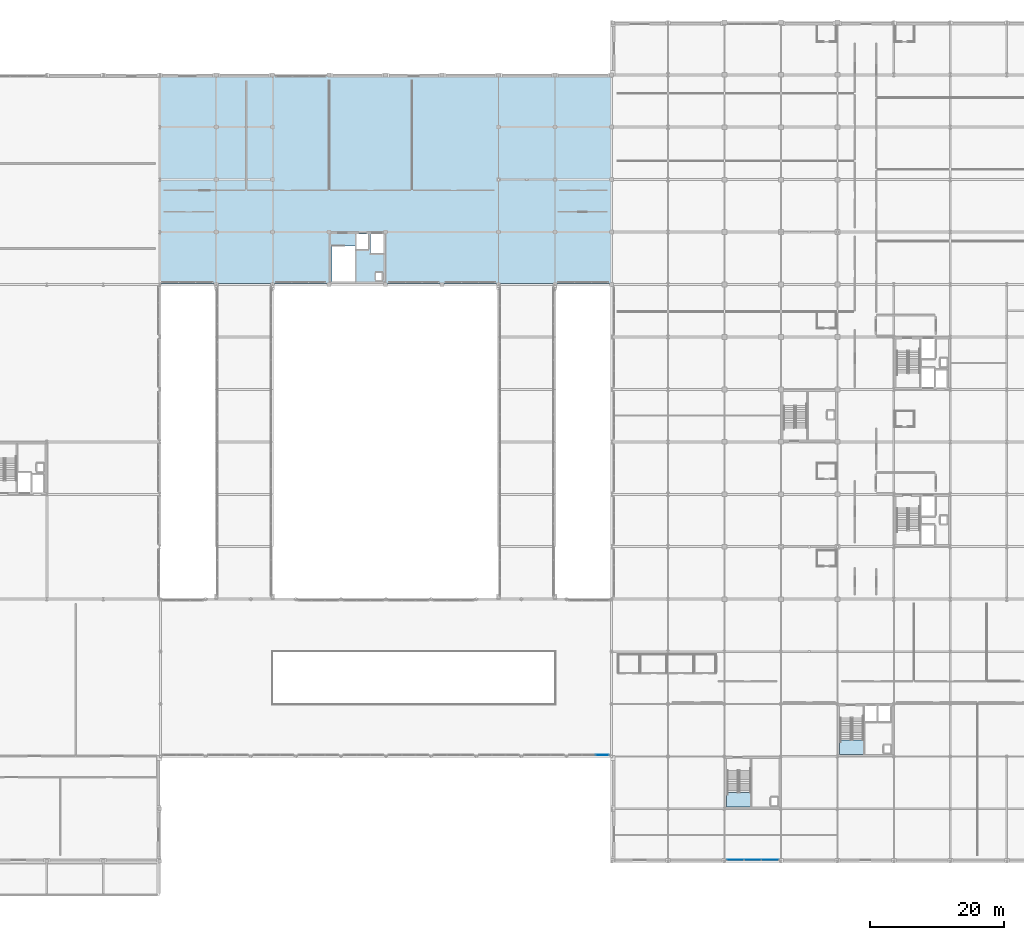
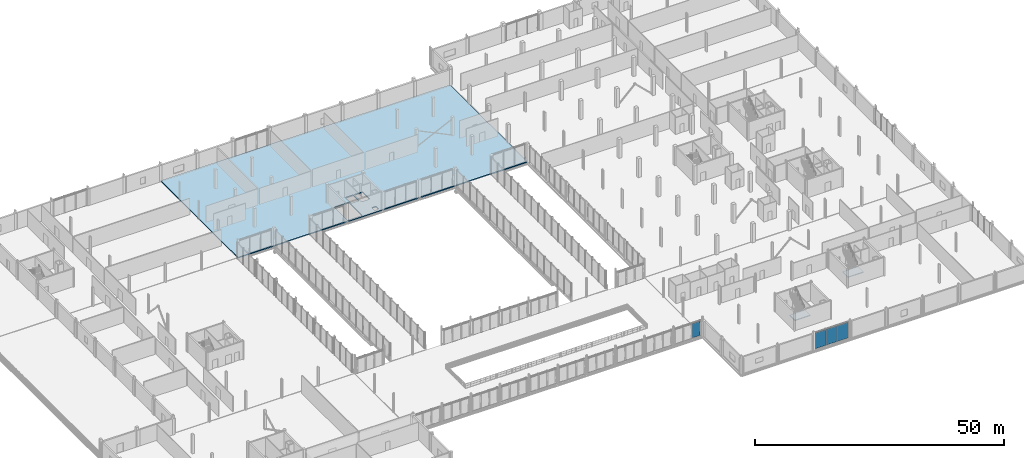
# One storey, part 64 of 98: 4 plates, 3 slabs, 4 elements without a shape of their own.
"""IFC4 building model written with IfcOpenShell, lengths in metres."""

import ifcopenshell
import ifcopenshell.guid

model = None  # the IFC model being written
_history = None  # IfcOwnerHistory: only IFC2X3 demands one
_inside = {}  # id of a spatial element -> (the spatial element, [elements in it])
_under = {}  # id of a project, library or spatial element -> (it, [spatial elements below it])
_declared = {}  # id of a project -> (the project, [libraries it declares])
_typed = {}  # id of a type object -> (the type object, [elements of that type])
_made_of = {}  # id of a material, layer set ... -> (it, [elements and type objects made of it])


def new_model(schema):
    """Start an empty IFC model of exactly this schema.

    Asked for "IFC4X3", IfcOpenShell would pick the latest addendum, in which some entities
    have other attributes; the version numbers below select the first issue.
    IFC2X3 requires an IfcOwnerHistory on every rooted entity: one is made here for all.
    """
    global model, _history
    if schema == "IFC4X3":
        model = ifcopenshell.file(schema_version=(4, 3, 0, 0))
    else:
        model = ifcopenshell.file(schema=schema)
    _inside.clear()
    _under.clear()
    _declared.clear()
    _typed.clear()
    _made_of.clear()
    _history = None
    if model.schema == "IFC2X3":
        org = make("IfcOrganization", Name="unknown")
        user = make(
            "IfcPersonAndOrganization",
            ThePerson=make("IfcPerson", FamilyName="unknown"),
            TheOrganization=org,
        )
        app = make(
            "IfcApplication",
            ApplicationDeveloper=org,
            Version="unknown",
            ApplicationFullName="unknown",
            ApplicationIdentifier="unknown",
        )
        _history = make(
            "IfcOwnerHistory",
            OwningUser=user,
            OwningApplication=app,
            ChangeAction="ADDED",
            CreationDate=0,
        )
    return model


def make(cls, **values):
    """One entity of the class cls with the attributes given. An attribute that is None is left unset."""
    return model.create_entity(
        cls, **{name: value for name, value in values.items() if value is not None}
    )


def rooted(cls, **values):
    """An entity with a GlobalId (a new one), such as an element, a storey or a relation."""
    return make(cls, GlobalId=ifcopenshell.guid.new(), OwnerHistory=_history, **values)


def si_unit(unit_type, name, prefix=None):
    """IfcSIUnit, for example si_unit("LENGTHUNIT", "METRE", prefix="MILLI")."""
    return make("IfcSIUnit", UnitType=unit_type, Prefix=prefix, Name=name)


def assignment(units):
    """IfcUnitAssignment: the units of a project."""
    return None if units is None else make("IfcUnitAssignment", Units=units)


def point(xyz):
    """IfcCartesianPoint."""
    return None if xyz is None else make("IfcCartesianPoint", Coordinates=xyz)


def direction(xyz):
    """IfcDirection."""
    return None if xyz is None else make("IfcDirection", DirectionRatios=xyz)


def frame(location, z_axis=None, x_axis=None):
    """IfcAxis2Placement3D, a coordinate frame: its origin and axes. An axis left out is left unset."""
    return make(
        "IfcAxis2Placement3D",
        Location=point(location),
        Axis=direction(z_axis),
        RefDirection=direction(x_axis),
    )


def frame_2d(location, x_axis=None):
    """IfcAxis2Placement2D, a coordinate frame in the plane: its origin and x axis."""
    return make(
        "IfcAxis2Placement2D", Location=point(location), RefDirection=direction(x_axis)
    )


def origin():
    """The frame at (0, 0, 0) with its axes left unset."""
    return frame((0.0, 0.0, 0.0))


def origin_2d():
    """The frame at (0, 0) in the plane with its x axis left unset."""
    return frame_2d((0.0, 0.0))


def place(relative_to, where):
    """IfcLocalPlacement: puts the frame where relative to a parent placement (None: the world)."""
    return make(
        "IfcLocalPlacement", PlacementRelTo=relative_to, RelativePlacement=where
    )


def context(
    kind, dimensions, precision=None, world=None, true_north=None, identifier=None
):
    """IfcGeometricRepresentationContext, for example the 3D "Model" context."""
    return make(
        "IfcGeometricRepresentationContext",
        ContextIdentifier=identifier,
        ContextType=kind,
        CoordinateSpaceDimension=dimensions,
        Precision=precision,
        WorldCoordinateSystem=world,
        TrueNorth=true_north,
    )


def subcontext(parent, identifier, kind, view, scale=None):
    """IfcGeometricRepresentationSubContext, for example "Body" below "Model"."""
    return make(
        "IfcGeometricRepresentationSubContext",
        ContextIdentifier=identifier,
        ContextType=kind,
        ParentContext=parent,
        TargetScale=scale,
        TargetView=view,
    )


def project(units=None, contexts=None):
    """IfcProject with its units and contexts."""
    return rooted(
        "IfcProject",
        Name="project",
        RepresentationContexts=contexts,
        UnitsInContext=assignment(units),
    )


def spatial(cls, under=None, at=None, **own):
    """A site, building, storey or space (cls), placed at a placement, below another one or the project."""
    s = rooted(cls, ObjectPlacement=at, **own)
    if under is not None:
        _under.setdefault(under.id(), (under, []))[1].append(s)
    return s


def polyline(points):
    """IfcPolyline through the points."""
    return make("IfcPolyline", Points=[point(p) for p in points])


def profile(cls, at=None, kind="AREA", **sizes):
    """A parametric profile (cls). Its sizes go by their IFC names, for example OverallWidth=200.0."""
    return make(cls, ProfileType=kind, Position=at, **sizes)


def rectangle(**sizes):
    """IfcRectangleProfileDef."""
    return profile("IfcRectangleProfileDef", **sizes)


def outline(outer, holes=None, kind="AREA"):
    """IfcArbitraryClosedProfileDef: a profile drawn as a closed curve; with holes, ...WithVoids."""
    if holes is None:
        return make("IfcArbitraryClosedProfileDef", ProfileType=kind, OuterCurve=outer)
    return make(
        "IfcArbitraryProfileDefWithVoids",
        ProfileType=kind,
        OuterCurve=outer,
        InnerCurves=holes,
    )


def extrude(swept, where, along, depth):
    """IfcExtrudedAreaSolid: the profile swept, set in the frame where, extruded along a direction by depth."""
    return make(
        "IfcExtrudedAreaSolid",
        SweptArea=swept,
        Position=where,
        ExtrudedDirection=direction(along),
        Depth=depth,
    )


def shape(context_of_items, identifier, shape_type, items):
    """IfcShapeRepresentation: the items that make up one representation, for example the "Body"."""
    return make(
        "IfcShapeRepresentation",
        ContextOfItems=context_of_items,
        RepresentationIdentifier=identifier,
        RepresentationType=shape_type,
        Items=items,
    )


def material(Name=None, Category=None):
    """IfcMaterial."""
    return make("IfcMaterial", Name=Name, Category=Category)


def layer(
    of_material, thickness, ventilated=None, Name=None, Category=None, Priority=None
):
    """IfcMaterialLayer: one layer of a wall or slab, of a material (None: an air gap)."""
    return make(
        "IfcMaterialLayer",
        Material=of_material,
        LayerThickness=thickness,
        IsVentilated=ventilated,
        Name=Name,
        Category=Category,
        Priority=Priority,
    )


def layer_set(layers, Name=None):
    """IfcMaterialLayerSet."""
    return make("IfcMaterialLayerSet", MaterialLayers=layers, LayerSetName=Name)


def made_of(thing, what):
    """Note that an element or type object is made of a material, layer set ...; save() writes the relation."""
    if what is not None:
        _made_of.setdefault(what.id(), (what, []))[1].append(thing)
    return thing


def type_object(cls, material=None, **own):
    """A type object (cls), such as IfcWallType, which elements share."""
    return made_of(rooted(cls, **own), material)


def element(
    cls,
    number,
    at=None,
    inside=None,
    cuts=None,
    type_object=None,
    material=None,
    context=None,
    identifier="Body",
    shape_type=None,
    held_by="IfcProductDefinitionShape",
    body=None,
    shapes=None,
    **own,
):
    """One element of the class cls, such as IfcWall. Its Tag is "e" and its number.

    at: its placement. inside: the storey or other place that contains it. cuts: it is an
    opening in that element (IfcRelVoidsElement). A single representation is given by context,
    identifier, shape_type and body (its items); several are given by shapes. held_by: the class
    of the entity that holds the representations. save() writes the other relations.
    """
    e = rooted(cls, Tag="e%d" % number, ObjectPlacement=at, **own)
    if body is not None:
        shapes = [shape(context, identifier, shape_type, body)]
    if shapes is not None:
        e.Representation = make(held_by, Representations=shapes)
    if inside is not None:
        _inside.setdefault(inside.id(), (inside, []))[1].append(e)
    if cuts is not None:
        rooted(
            "IfcRelVoidsElement", RelatingBuildingElement=cuts, RelatedOpeningElement=e
        )
    if type_object is not None:
        _typed.setdefault(type_object.id(), (type_object, []))[1].append(e)
    return made_of(e, material)


def aggregate(whole, parts):
    """IfcRelAggregates: a whole, such as a stair, and the parts it consists of."""
    return rooted("IfcRelAggregates", RelatingObject=whole, RelatedObjects=parts)


def save(model, path):
    """Write the relations noted so far, then the file.

    IfcRelAggregates (storeys below a building ...), IfcRelContainedInSpatialStructure (elements
    in a storey), IfcRelDefinesByType, IfcRelAssociatesMaterial and IfcRelDeclares: one each for
    every whole, place, type object, material and project.
    """
    for whole, parts in _under.values():
        aggregate(whole, parts)
    for where, things in _inside.values():
        rooted(
            "IfcRelContainedInSpatialStructure",
            RelatedElements=things,
            RelatingStructure=where,
        )
    for kind, things in _typed.values():
        rooted("IfcRelDefinesByType", RelatedObjects=things, RelatingType=kind)
    for what, things in _made_of.values():
        rooted("IfcRelAssociatesMaterial", RelatedObjects=things, RelatingMaterial=what)
    for by, libraries in _declared.values():
        rooted("IfcRelDeclares", RelatingContext=by, RelatedDefinitions=libraries)
    model.write(path)


model = new_model("IFC4")

# Units and contexts
model_context = context("Model", 3, precision=1e-05, world=origin(), true_north=direction((0.0, 1.0)))
body_context = subcontext(model_context, "Body", "Model", "MODEL_VIEW")
ifc_project = project(units=[si_unit("LENGTHUNIT", "METRE"), si_unit("AREAUNIT", "SQUARE_METRE"), si_unit("VOLUMEUNIT", "CUBIC_METRE"), si_unit("PLANEANGLEUNIT", "RADIAN"), si_unit("MASSUNIT", "GRAM", prefix="KILO")], contexts=[model_context])

# Site, building, storey
site_placement = place(None, origin())
site = spatial("IfcSite", under=ifc_project, at=site_placement, CompositionType="ELEMENT")
building_placement = place(site_placement, origin())
building = spatial("IfcBuilding", under=site, at=building_placement, Name="Nabrawat Pavilion Hospital", CompositionType="ELEMENT")
storey_placement = place(building_placement, frame((0.0, 0.0, 10.199951171875)))
storey = spatial("IfcBuildingStorey", under=building, at=storey_placement, Name="L02", CompositionType="ELEMENT", Elevation=10.199951171875)

# Slab
ifc_material_1 = material(Name="Concrete C35/45", Category="concrete")
ifc_layer_1 = layer(ifc_material_1, 0.25, Name="Concrete C35/45")
ifc_layer_set_1 = layer_set([ifc_layer_1], Name="Concrete C35/45")
slab_type_1 = type_object("IfcSlabType", Name="Composite Lower Ward Slab 250", PredefinedType="FLOOR", material=ifc_layer_set_1)
slab_1_placement = place(storey_placement, frame((0.0, 0.0, -0.25)))
element("IfcSlab", 1, at=slab_1_placement, inside=storey, type_object=slab_type_1, Name="L02 Structural Floor Slab P_L02_V4", PredefinedType="FLOOR", context=body_context, shape_type="SweptSolid", body=[
    extrude(outline(polyline([(58.919921875, 85.919921875), (126.0, 85.919921875), (126.0, 117.0), (58.919921875, 117.0), (58.919921875, 85.919921875)]), holes=[polyline([(90.1201171875, 90.39990234375), (90.1201171875, 93.300048828125), (92.080078125, 93.300048828125), (92.080078125, 90.39990234375), (90.1201171875, 90.39990234375)]), polyline([(90.949951171875, 86.469970703125), (90.949951171875, 87.570068359375), (91.85009765625, 87.570068359375), (91.85009765625, 86.469970703125), (90.949951171875, 86.469970703125)]), polyline([(88.10009765625, 91.0), (88.10009765625, 93.300048828125), (89.860107421875, 93.300048828125), (89.860107421875, 91.0), (88.10009765625, 91.0)]), polyline([(84.449951171875, 91.530029296875), (87.85009765625, 91.530029296875), (87.85009765625, 86.25), (84.449951171875, 86.25), (84.449951171875, 91.530029296875)])]), origin(), (0.0, 0.0, 1.0), 0.25),
])

# Curtain wall, plate
ifc_material_2 = material(Name="Anodised Aluminium", Category="aluminium")
curtain_wall_type_1 = type_object("IfcCurtainWallType", Name="Main Hall Pavilion Unitised Curtain Wall", PredefinedType="USERDEFINED", material=ifc_material_2)
curtain_wall_1_placement = place(storey_placement, origin())
curtain_wall_1 = element("IfcCurtainWall", 2, at=curtain_wall_1_placement, inside=storey, type_object=curtain_wall_type_1, Name="L02 Main Hall Pavilion Unitised Curtain Wall 107", ObjectType="CURTAIN WALL", PredefinedType="USERDEFINED")
ifc_material_3 = material(Name="Double-Glazed Low-E Glass", Category="glass")
ifc_layer_2 = layer(ifc_material_3, 0.035888671875, Name="Double-Glazed Low-E Glass")
ifc_layer_set_2 = layer_set([ifc_layer_2], Name="Double-Glazed Low-E Glass")
plate_type_1 = type_object("IfcPlateType", Name="Main Hall Pavilion Unitised Curtain Wall Low-E Solar Panel 36", PredefinedType="CURTAIN_PANEL", material=ifc_layer_set_2)
plate_1_placement = place(storey_placement, frame((124.634521484375, 15.820068359375, 0.0751953125), z_axis=(0.0, 0.0, 1.0), x_axis=(1.0, 0.0, 0.0)))
plate_1 = element("IfcPlate", 3, at=plate_1_placement, type_object=plate_type_1, Name="CW-MH-01 panel 3.1", PredefinedType="CURTAIN_PANEL", context=body_context, shape_type="SweptSolid", body=[
    extrude(rectangle(XDim=1.894775390625, YDim=0.035888671875, at=origin_2d()), origin(), (0.0, 0.0, 1.0), 3.530029296875),
])
aggregate(curtain_wall_1, [plate_1])

# Curtain wall, plates
curtain_wall_type_2 = type_object("IfcCurtainWallType", Name="Outpatient Boulevard Curtain Wall", PredefinedType="USERDEFINED", material=ifc_material_2)
curtain_wall_2_placement = place(storey_placement, origin())
curtain_wall_2 = element("IfcCurtainWall", 4, at=curtain_wall_2_placement, inside=storey, type_object=curtain_wall_type_2, Name="L02 Outpatient Boulevard Curtain Wall 130", ObjectType="CURTAIN WALL", PredefinedType="USERDEFINED")
ifc_layer_3 = layer(ifc_material_3, 0.02392578125, Name="Double-Glazed Low-E Glass")
ifc_layer_set_3 = layer_set([ifc_layer_3], Name="Double-Glazed Low-E Glass")
plate_type_2 = type_object("IfcPlateType", Name="Outpatient Boulevard Curtain Wall Low-E Solar Panel 24", PredefinedType="CURTAIN_PANEL", material=ifc_layer_set_3)
plate_2_placement = place(storey_placement, frame((144.42822265625, 0.219970703125, 0.06005859375), z_axis=(0.0, 0.0, 1.0), x_axis=(1.0, 0.0, 0.0)))
plate_2 = element("IfcPlate", 5, at=plate_2_placement, type_object=plate_type_2, Name="CW-OPC-01 panel 1.1", PredefinedType="CURTAIN_PANEL", context=body_context, shape_type="SweptSolid", body=[
    extrude(rectangle(XDim=2.49658203125, YDim=0.02392578125, at=origin_2d()), origin(), (0.0, 0.0, 1.0), 3.8798828125),
])
plate_3_placement = place(storey_placement, frame((147.0, 0.219970703125, 0.06005859375), z_axis=(0.0, 0.0, 1.0), x_axis=(1.0, 0.0, 0.0)))
plate_3 = element("IfcPlate", 6, at=plate_3_placement, type_object=plate_type_2, Name="CW-OPC-01 panel 2.1", PredefinedType="CURTAIN_PANEL", context=body_context, shape_type="SweptSolid", body=[
    extrude(rectangle(XDim=2.526611328125, YDim=0.02392578125, at=origin_2d()), origin(), (0.0, 0.0, 1.0), 3.8798828125),
])
plate_4_placement = place(storey_placement, frame((149.57177734375, 0.219970703125, 0.06005859375), z_axis=(0.0, 0.0, 1.0), x_axis=(1.0, 0.0, 0.0)))
plate_4 = element("IfcPlate", 7, at=plate_4_placement, type_object=plate_type_2, Name="CW-OPC-01 panel 3.1", PredefinedType="CURTAIN_PANEL", context=body_context, shape_type="SweptSolid", body=[
    extrude(rectangle(XDim=2.49658203125, YDim=0.02392578125, at=origin_2d()), origin(), (0.0, 0.0, 1.0), 3.8798828125),
])
aggregate(curtain_wall_2, [plate_2, plate_3, plate_4])

# Stair, slab
stair_type = type_object("IfcStairType", Name="Core Dogleg Escape Stair Assembly", PredefinedType="HALF_TURN_STAIR", material=ifc_material_1)
stair_1_placement = place(storey_placement, origin())
stair_1 = element("IfcStair", 8, at=stair_1_placement, inside=storey, type_object=stair_type, Name="L02 Outpatient Clinics Core 4", PredefinedType="HALF_TURN_STAIR")
ifc_layer_4 = layer(ifc_material_1, 0.199951171875, Name="Concrete C35/45")
ifc_layer_set_4 = layer_set([ifc_layer_4], Name="Concrete C35/45")
slab_type_2 = type_object("IfcSlabType", Name="Reinforced Concrete Stair Half-Landing 200", PredefinedType="LANDING", material=ifc_layer_set_4)
slab_2_placement = place(storey_placement, frame((0.0, 0.0, 2.125)))
slab_2 = element("IfcSlab", 9, at=slab_2_placement, type_object=slab_type_2, Name="ST-04 landing 1", PredefinedType="LANDING", context=body_context, shape_type="SweptSolid", body=[
    extrude(outline(polyline([(163.469970703125, 15.8798828125), (163.469970703125, 18.030029296875), (159.8798828125, 18.030029296875), (159.8798828125, 15.8798828125), (163.469970703125, 15.8798828125)])), origin(), (0.0, 0.0, 1.0), 0.199951171875),
])
aggregate(stair_1, [slab_2])

stair_2_placement = place(storey_placement, origin())
stair_2 = element("IfcStair", 10, at=stair_2_placement, inside=storey, type_object=stair_type, Name="L02 Outpatient West Escape Stair Core 8", PredefinedType="HALF_TURN_STAIR")
slab_3_placement = place(storey_placement, frame((0.0, 0.0, 2.125)))
slab_3 = element("IfcSlab", 11, at=slab_3_placement, type_object=slab_type_2, Name="ST-08 landing 1", PredefinedType="LANDING", context=body_context, shape_type="SweptSolid", body=[
    extrude(outline(polyline([(146.669921875, 8.080078125), (146.669921875, 10.22998046875), (143.080078125, 10.22998046875), (143.080078125, 8.080078125), (146.669921875, 8.080078125)])), origin(), (0.0, 0.0, 1.0), 0.199951171875),
])
aggregate(stair_2, [slab_3])

save(model, "model.ifc")
